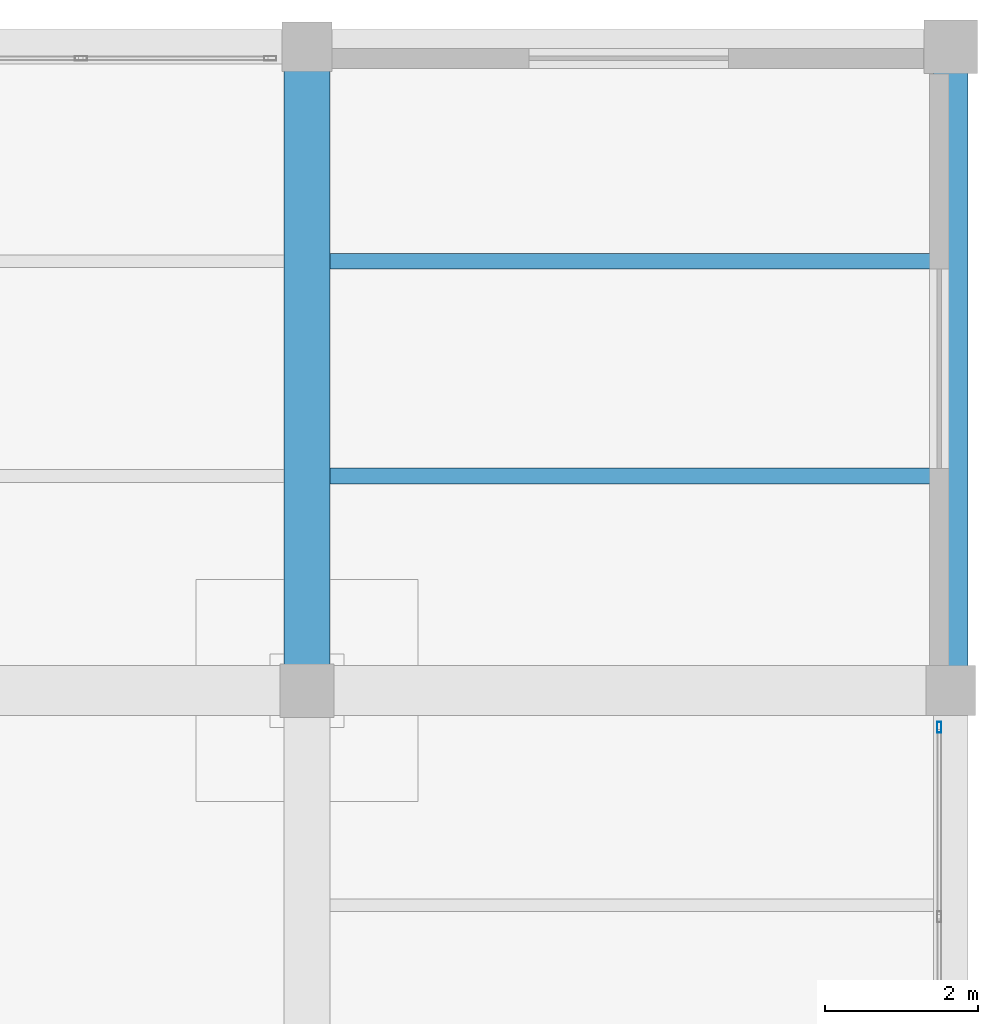
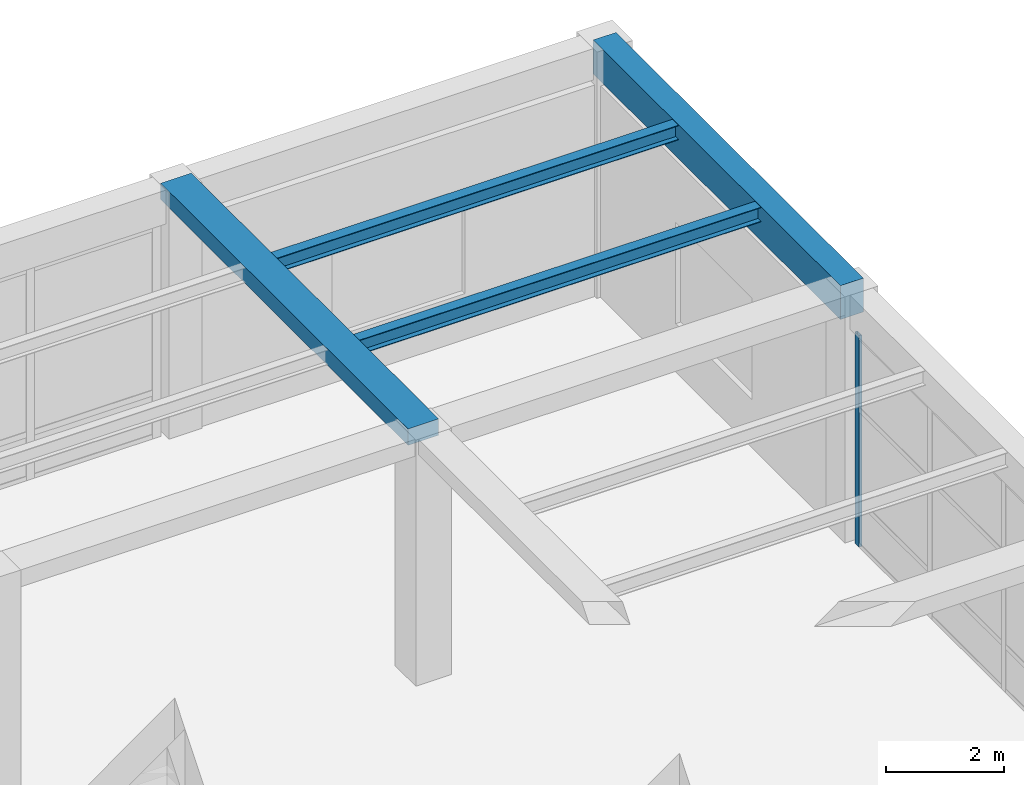
# One storey, part 66 of 95: 4 beams, 1 member, 1 element without a shape of its own.
"""IFC4 building model written with IfcOpenShell, lengths in metres."""

from ifc_helpers import new_model, si_unit, direction, frame, origin, origin_2d, place, context, subcontext, project, spatial, rectangle, hollow_rectangle, i_section, extrude, material, material_profile, profile_set, type_object, element, aggregate, save


model = new_model("IFC4")

# Units and contexts
model_context = context("Model", 3, precision=1e-05, world=origin(), true_north=direction((0.0, 1.0)))
body_context = subcontext(model_context, "Body", "Model", "MODEL_VIEW")
ifc_project = project(units=[si_unit("LENGTHUNIT", "METRE"), si_unit("AREAUNIT", "SQUARE_METRE"), si_unit("VOLUMEUNIT", "CUBIC_METRE"), si_unit("PLANEANGLEUNIT", "RADIAN"), si_unit("MASSUNIT", "GRAM", prefix="KILO")], contexts=[model_context])

# Site, building, storey
site_placement = place(None, origin())
site = spatial("IfcSite", under=ifc_project, at=site_placement, CompositionType="ELEMENT")
building_placement = place(site_placement, origin())
building = spatial("IfcBuilding", under=site, at=building_placement, Name="Almacenes y Pasaje Nevantli", CompositionType="ELEMENT")
storey_placement = place(building_placement, frame((0.0, 0.0, 11.39990234375)))
storey = spatial("IfcBuildingStorey", under=building, at=storey_placement, Name="L03", CompositionType="ELEMENT", Elevation=11.39990234375)

# Beams
ifc_material_1 = material(Name="Concrete C35/45", Category="concrete")
ifc_material_profile_1 = material_profile(ifc_material_1, rectangle(XDim=0.449951171875, YDim=0.699951171875, at=origin_2d()), Name="RC-BM-450x700")
ifc_profile_set_1 = profile_set([ifc_material_profile_1], Name="Concrete C35/45")
beam_type_1 = type_object("IfcBeamType", Name="BM-RC-450x700", PredefinedType="SPANDREL", material=ifc_profile_set_1)
beam_1_placement = place(storey_placement, frame((168.0, 109.199951171875, 4.75), z_axis=(0.0, 1.0, 0.0), x_axis=(-1.0, 0.0, 0.0)))
element("IfcBeam", 1, at=beam_1_placement, inside=storey, type_object=beam_type_1, Name="L03 North-South Reinforced Concrete Beam #2715", PredefinedType="SPANDREL", context=body_context, shape_type="SweptSolid", body=[
    extrude(rectangle(XDim=0.449951171875, YDim=0.699951171875, at=origin_2d()), origin(), (0.0, 0.0, 1.0), 8.400146484375),
])
ifc_material_2 = material(Name="Concrete C35/45", Category="concrete")
ifc_material_profile_2 = material_profile(ifc_material_2, rectangle(XDim=0.60009765625, YDim=0.340087890625, at=origin_2d()), Name="RC-BM-600x340")
ifc_profile_set_2 = profile_set([ifc_material_profile_2], Name="Concrete C35/45")
beam_type_2 = type_object("IfcBeamType", Name="BM-RC-600x340", PredefinedType="BEAM", material=ifc_profile_set_2)
beam_2_placement = place(storey_placement, frame((159.60009765625, 109.199951171875, 4.93017578125), z_axis=(0.0, 1.0, 0.0), x_axis=(-1.0, 0.0, 0.0)))
element("IfcBeam", 2, at=beam_2_placement, inside=storey, type_object=beam_type_2, Name="L03 North-South Reinforced Concrete Beam #2701", PredefinedType="BEAM", context=body_context, shape_type="SweptSolid", body=[
    extrude(rectangle(XDim=0.60009765625, YDim=0.340087890625, at=origin_2d()), origin(), (0.0, 0.0, 1.0), 8.400146484375),
])
ifc_material_3 = material(Name="Steel ASTM A992", Category="steel")
ifc_material_profile_3 = material_profile(ifc_material_3, i_section(OverallWidth=0.202880859375, OverallDepth=0.304931640625, WebThickness=0.007568359375, FlangeThickness=0.01318359375, at=origin_2d()), Name="IR 305x59.5")
ifc_profile_set_3 = profile_set([ifc_material_profile_3], Name="Steel ASTM A992")
beam_type_3 = type_object("IfcBeamType", Name="BM-STL-IR-305x59p5", PredefinedType="JOIST", material=ifc_profile_set_3)
for number, where, z_axis, x_axis, name in (
    (3, (159.89990234375, 112.0, 4.939697265625), (1.0, 0.0, 0.0), (0.0, 1.0, 0.0), "L03 Secondary Steel Floor Joist #1013"),
    (4, (159.89990234375, 114.800048828125, 4.939697265625), (1.0, 0.0, 0.0), (0.0, 1.0, 0.0), "L03 Secondary Steel Floor Joist #1014"),
):
    element("IfcBeam", number, at=place(storey_placement, frame(where, z_axis=z_axis, x_axis=x_axis)), inside=storey, type_object=beam_type_3, Name=name, PredefinedType="JOIST", context=body_context, shape_type="SweptSolid", body=[
        extrude(i_section(OverallWidth=0.202880859375, OverallDepth=0.304931640625, WebThickness=0.007568359375, FlangeThickness=0.01318359375, at=origin_2d()), origin(), (0.0, 0.0, 1.0), 7.875),
    ])

# Curtain wall, member
ifc_material_4 = material(Name="Thermally Broken Aluminium and Low-E Glass", Category="aluminium")
curtain_wall_type = type_object("IfcCurtainWallType", Name="CW-UNIT-PODIUM", PredefinedType="USERDEFINED", material=ifc_material_4)
curtain_wall_placement = place(storey_placement, origin())
curtain_wall = element("IfcCurtainWall", 5, at=curtain_wall_placement, inside=storey, type_object=curtain_wall_type, Name="L03 East Office Wing Curtain Wall Bay 13", ObjectType="UNITIZED CURTAIN WALL", PredefinedType="USERDEFINED")
ifc_material_5 = material(Name="Thermally Broken Anodized Aluminium", Category="aluminium")
ifc_material_profile_4 = material_profile(ifc_material_5, hollow_rectangle(XDim=0.054931640625, YDim=0.139892578125, WallThickness=0.00341796875, at=origin_2d()), Name="ALU-MUL-55x140")
ifc_profile_set_4 = profile_set([ifc_material_profile_4], Name="Thermally Broken Anodized Aluminium")
member_type = type_object("IfcMemberType", Name="CW-MUL-160", PredefinedType="MULLION", material=ifc_profile_set_4)
member_placement = place(storey_placement, frame((167.85009765625, 108.722412109375, 0.0), z_axis=(0.0, 0.0, 1.0), x_axis=(-1.0, 0.0, 0.0)))
member = element("IfcMember", 6, at=member_placement, type_object=member_type, Name="CW-L03-057 mullion 4", PredefinedType="MULLION", context=body_context, shape_type="SweptSolid", body=[
    extrude(hollow_rectangle(XDim=0.054931640625, YDim=0.139892578125, WallThickness=0.00341796875, at=origin_2d()), origin(), (0.0, 0.0, 1.0), 4.380126953125),
])
aggregate(curtain_wall, [member])

save(model, "model.ifc")
